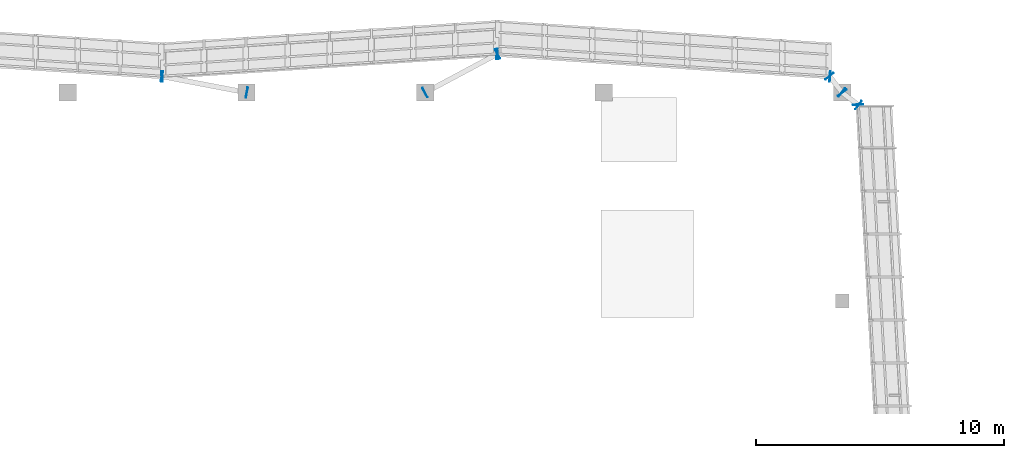
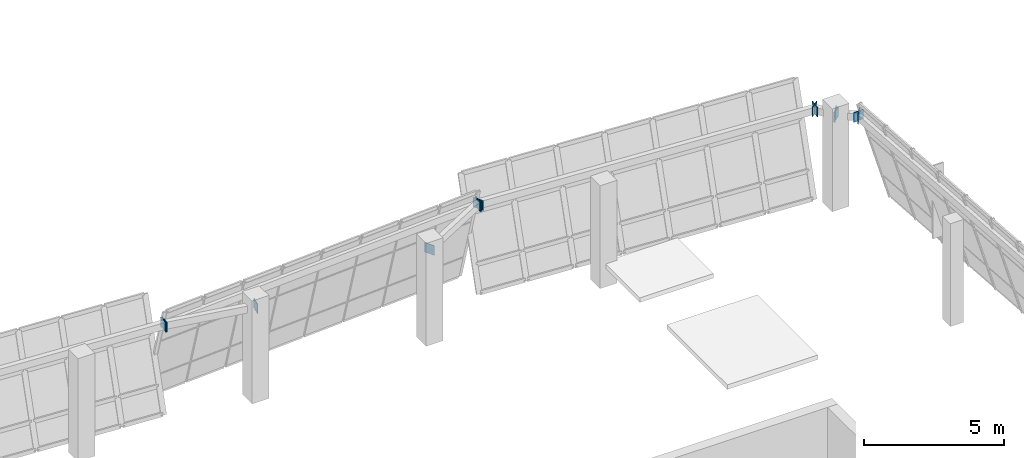
# One storey, part 54 of 67: 14 plates.
"""IFC4 building model written with IfcOpenShell, lengths in metres."""

from ifc_helpers import new_model, si_unit, direction, frame, origin, origin_2d, place, context, subcontext, project, spatial, rectangle, extrude, material, layer, layer_set, type_object, element, save


model = new_model("IFC4")

# Units and contexts
model_context = context("Model", 3, precision=1e-05, world=origin(), true_north=direction((0.0, 1.0)))
body_context = subcontext(model_context, "Body", "Model", "MODEL_VIEW")
ifc_project = project(units=[si_unit("LENGTHUNIT", "METRE"), si_unit("AREAUNIT", "SQUARE_METRE"), si_unit("VOLUMEUNIT", "CUBIC_METRE"), si_unit("PLANEANGLEUNIT", "RADIAN"), si_unit("MASSUNIT", "GRAM", prefix="KILO")], contexts=[model_context])

# Site, building, storey
site_placement = place(None, origin())
site = spatial("IfcSite", under=ifc_project, at=site_placement, CompositionType="ELEMENT")
building_placement = place(site_placement, origin())
building = spatial("IfcBuilding", under=site, at=building_placement, Name="Pellamere Symphony Hall", CompositionType="ELEMENT")
storey_placement = place(building_placement, frame((0.0, 0.0, 19.5)))
storey = spatial("IfcBuildingStorey", under=building, at=storey_placement, Name="L04", CompositionType="ELEMENT", Elevation=19.5)

# Plates
ifc_material = material(Name="Steel CSA G40.21 350W", Category="steel")
ifc_layer = layer(ifc_material, 0.02490234375, Name="Steel CSA G40.21 350W")
ifc_layer_set = layer_set([ifc_layer], Name="Steel CSA G40.21 350W")
plate_type = type_object("IfcPlateType", Name="Steel Connection Plate KP-01 420x420x25", PredefinedType="SHEET", material=ifc_layer_set)
for number, where, z_axis, x_axis, name in (
    (1, (119.44921875, 93.112060546875, 3.72998046875), (0.0, 0.0, 1.0), (-0.05756402696, 0.998341816614, 0.0), "Crystal Spandrel End Cap Plate CW-CR09-2 (L04)"),
    (2, (118.79052734375, 93.607421875, 3.72998046875), (0.0, 0.0, 1.0), (0.792609005996, -0.609730238396, 0.0), "Outrigger End Cap Plate 047.1 (L04)"),
    (3, (119.45947265625, 93.0927734375, 3.72998046875), (0.0, 0.0, 1.0), (0.792609005996, -0.609730238396, 0.0), "Outrigger End Cap Plate 047.2 (L04)"),
    (4, (118.31201171875, 94.249267578125, 3.72998046875), (0.0, 0.0, 1.0), (-0.997754957227, 0.066970481029, 0.0), "Crystal Spandrel End Cap Plate CW-CR10-1 (L04)"),
    (5, (104.887939453125, 95.15087890625, 3.72998046875), (0.0, 0.0, 1.0), (-0.997754957227, 0.066970481029, 0.0), "Crystal Spandrel End Cap Plate CW-CR10-2 (L04)"),
    (6, (118.807373046875, 93.590576171875, 3.72998046875), (0.0, 0.0, 1.0), (-0.609730238396, 0.792609005996, 0.0), "Outrigger End Cap Plate 055.1 (L04)"),
    (7, (118.292724609375, 94.259521484375, 3.72998046875), (0.0, 0.0, 1.0), (-0.609730238396, 0.792609005996, 0.0), "Outrigger End Cap Plate 055.2 (L04)"),
    (8, (101.989501953125, 93.59423828125, 3.72998046875), (0.0, 0.0, 1.0), (0.881962398116, 0.471319772882, 0.0), "Outrigger End Cap Plate 056.1 (L04)"),
    (9, (104.91064453125, 95.15576171875, 3.72998046875), (0.0, 0.0, 1.0), (0.881962398116, 0.471319772882, 0.0), "Outrigger End Cap Plate 056.2 (L04)"),
    (10, (104.912109375, 95.15087890625, 3.72998046875), (0.0, 0.0, 1.0), (-0.997789886117, -0.066448048599, 0.0), "Crystal Spandrel End Cap Plate CW-CR11-1 (L04)"),
    (11, (91.387939453125, 94.249267578125, 3.72998046875), (0.0, 0.0, 1.0), (-0.997789886117, -0.066448048599, 0.0), "Crystal Spandrel End Cap Plate CW-CR11-2 (L04)"),
    (12, (94.811767578125, 93.59765625, 3.72998046875), (0.0, 0.0, 1.0), (-0.982221782468, 0.187724186097, 0.0), "Outrigger End Cap Plate 062.1 (L04)"),
    (13, (91.38818359375, 94.252197265625, 3.72998046875), (0.0, 0.0, 1.0), (-0.982221782468, 0.187724186097, 0.0), "Outrigger End Cap Plate 062.2 (L04)"),
    (14, (91.412109375, 94.249267578125, 3.72998046875), (0.0, 0.0, 1.0), (-0.997813020072, 0.066099750182, 0.0), "Crystal Spandrel End Cap Plate CW-CR12-1 (L04)"),
):
    element("IfcPlate", number, at=place(storey_placement, frame(where, z_axis=z_axis, x_axis=x_axis)), inside=storey, type_object=plate_type, Name=name, PredefinedType="SHEET", context=body_context, shape_type="SweptSolid", body=[
        extrude(rectangle(XDim=0.02490234375, YDim=0.419921875, at=origin_2d()), origin(), (0.0, 0.0, 1.0), 0.419921875),
    ])

save(model, "model.ifc")
